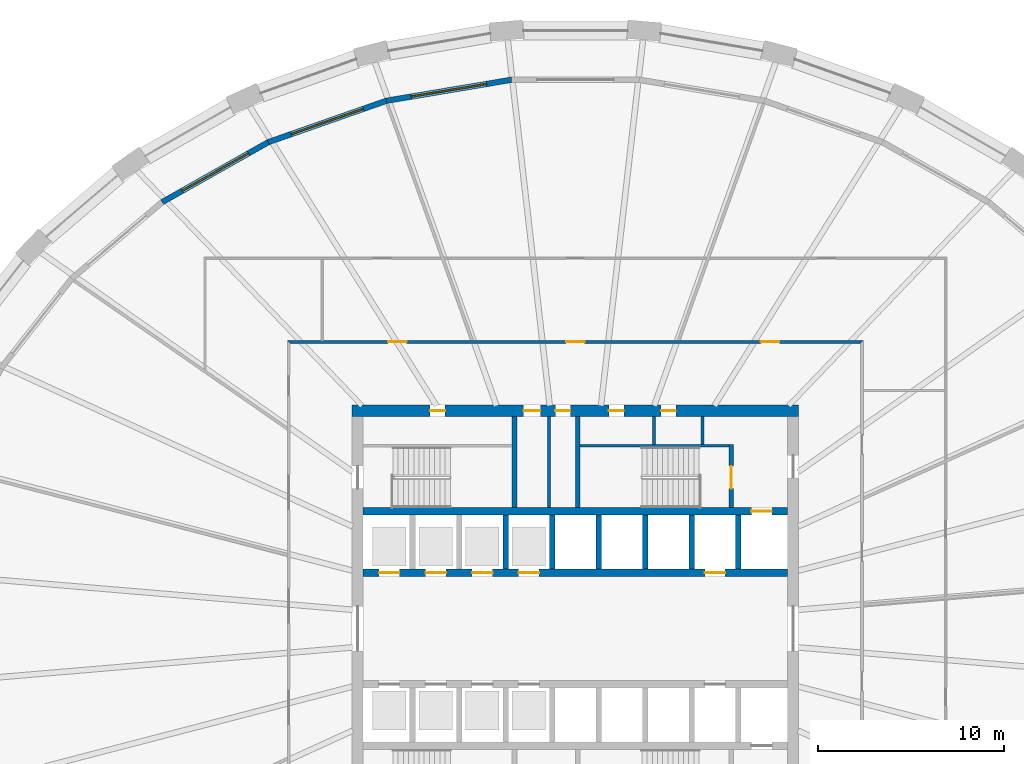
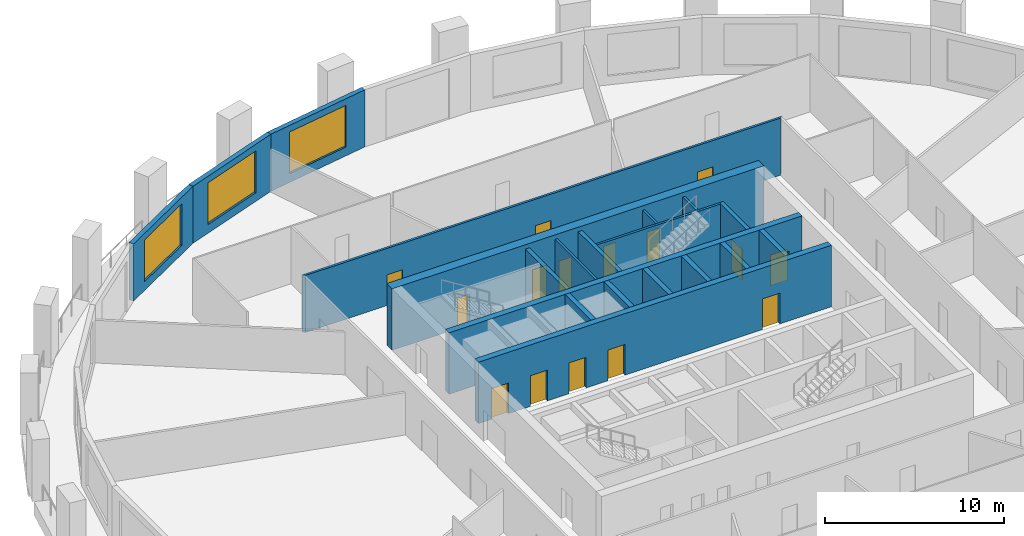
# One storey, part 6 of 11: 20 walls, 15 doors, 3 windows, 18 openings.
"""IFC4 building model written with IfcOpenShell, lengths in metres."""

from ifc_helpers import new_model, si_unit, direction, frame, frame_2d, origin, place, context, subcontext, project, spatial, polyline, rectangle, outline, extrude, material, layer, layer_set, type_object, element, fill, save


model = new_model("IFC4")

# Units and contexts
model_context = context("Model", 3, precision=1e-05, world=origin(), true_north=direction((0.0, 1.0)))
body_context = subcontext(model_context, "Body", "Model", "MODEL_VIEW")
ifc_project = project(units=[si_unit("LENGTHUNIT", "METRE"), si_unit("AREAUNIT", "SQUARE_METRE"), si_unit("VOLUMEUNIT", "CUBIC_METRE"), si_unit("PLANEANGLEUNIT", "RADIAN"), si_unit("MASSUNIT", "GRAM", prefix="KILO")], contexts=[model_context])

# Site, building, storey
site_placement = place(None, origin())
site = spatial("IfcSite", under=ifc_project, at=site_placement, CompositionType="ELEMENT")
building_placement = place(site_placement, origin())
building = spatial("IfcBuilding", under=site, at=building_placement, Name="Halqa Exchange Tower", CompositionType="ELEMENT")
storey_placement = place(building_placement, frame((0.0, 0.0, 36.10009765625)))
storey = spatial("IfcBuildingStorey", under=building, at=storey_placement, Name="L07", CompositionType="ELEMENT", Elevation=36.10009765625)

# Wall, openings, doors
ifc_material_1 = material(Name="Fire-rated gypsum board")
ifc_layer_1 = layer(ifc_material_1, 0.14990234375)
ifc_layer_set_1 = layer_set([ifc_layer_1], Name="Fire-rated gypsum board")
wall_type_1 = type_object("IfcWallType", Name="Fire partition EI 60 150", PredefinedType="PARTITIONING", material=ifc_layer_set_1)
wall_1_placement = place(storey_placement, frame((-15.47509765625, 15.39990234375, 0.0), z_axis=(0.0, 0.0, 1.0), x_axis=(1.0, 0.0, 0.0)))
wall_1 = element("IfcWall", 1, at=wall_1_placement, inside=storey, type_object=wall_type_1, Name="L07-PWL-012", PredefinedType="PARTITIONING", context=body_context, shape_type="SweptSolid", body=[
    extrude(outline(polyline([(0.150146484375, -0.074951171875), (2.065673828125, -0.074951171875), (3.9814453125, -0.074951171875), (5.89697265625, -0.074951171875), (7.8125, -0.074951171875), (9.728271484375, -0.074951171875), (11.643798828125, -0.074951171875), (13.5595703125, -0.074951171875), (15.47509765625, -0.074951171875), (17.390625, -0.074951171875), (19.306396484375, -0.074951171875), (21.221923828125, -0.074951171875), (23.1376953125, -0.074951171875), (25.05322265625, -0.074951171875), (26.96875, -0.074951171875), (28.884521484375, -0.074951171875), (30.800048828125, -0.074951171875), (30.949951171875, 0.074951171875), (29.015625, 0.074951171875), (27.081298828125, 0.074951171875), (25.14697265625, 0.074951171875), (23.21240234375, 0.074951171875), (21.278076171875, 0.074951171875), (19.34375, 0.074951171875), (17.409423828125, 0.074951171875), (15.47509765625, 0.074951171875), (13.540771484375, 0.074951171875), (11.6064453125, 0.074951171875), (9.672119140625, 0.074951171875), (7.73779296875, 0.074951171875), (5.80322265625, 0.074951171875), (3.868896484375, 0.074951171875), (1.9345703125, 0.074951171875), (0.000244140625, 0.074951171875), (0.150146484375, -0.074951171875)])), origin(), (0.0, 0.0, 1.0), 3.89990234375),
])
opening_1_placement = place(wall_1_placement, frame((5.4150390625, 0.0, 0.0)))
opening_1 = element("IfcOpeningElement", 2, at=opening_1_placement, cuts=wall_1, Name="Opening 02-02", PredefinedType="OPENING", context=body_context, shape_type="SweptSolid", body=[
    extrude(rectangle(XDim=1.0, YDim=2.10009765625, at=frame_2d((0.5, 1.050048828125))), frame((0.0, 0.0869140625, 0.0), z_axis=(0.0, -1.0, 0.0), x_axis=(1.0, 0.0, 0.0)), (0.0, 0.0, 1.0), 0.173828125),
])
opening_2_placement = place(wall_1_placement, frame((25.43505859375, 0.0, 0.0)))
opening_2 = element("IfcOpeningElement", 3, at=opening_2_placement, cuts=wall_1, Name="Opening 02-14", PredefinedType="OPENING", context=body_context, shape_type="SweptSolid", body=[
    extrude(rectangle(XDim=1.0, YDim=2.10009765625, at=frame_2d((0.5, 1.050048828125))), frame((0.0, 0.0869140625, 0.0), z_axis=(0.0, -1.0, 0.0), x_axis=(1.0, 0.0, 0.0)), (0.0, 0.0, 1.0), 0.173828125),
])
opening_3_placement = place(wall_1_placement, frame((14.97509765625, 0.0, 0.0)))
opening_3 = element("IfcOpeningElement", 4, at=opening_3_placement, cuts=wall_1, Name="Opening 02-16", PredefinedType="OPENING", context=body_context, shape_type="SweptSolid", body=[
    extrude(rectangle(XDim=1.0, YDim=2.10009765625, at=frame_2d((0.5, 1.050048828125))), frame((0.0, 0.0869140625, 0.0), z_axis=(0.0, -1.0, 0.0), x_axis=(1.0, 0.0, 0.0)), (0.0, 0.0, 1.0), 0.173828125),
])
ifc_material_2 = material(Name="Steel fire door leaf", Category="steel")
door_type_1 = type_object("IfcDoorType", Name="Fire door FD30S 1000 x 2100", OperationType="SINGLE_SWING_LEFT", PredefinedType="DOOR", material=ifc_material_2)
door_1_placement = place(opening_1_placement, origin())
door_1 = element("IfcDoor", 5, at=door_1_placement, inside=storey, type_object=door_type_1, Name="L07-IDR-002", OperationType="SINGLE_SWING_LEFT", OverallHeight=2.10009765625, OverallWidth=1.0, PredefinedType="DOOR", context=body_context, shape_type="SweptSolid", body=[
    extrude(rectangle(XDim=1.0, YDim=2.10009765625, at=frame_2d((0.5, 1.050048828125))), frame((0.0, 0.02490234375, 0.0), z_axis=(0.0, -1.0, 0.0), x_axis=(1.0, 0.0, 0.0)), (0.0, 0.0, 1.0), 0.050048828125),
])
fill(opening_1, door_1)
door_2_placement = place(opening_2_placement, origin())
door_2 = element("IfcDoor", 6, at=door_2_placement, inside=storey, type_object=door_type_1, Name="L07-IDR-014", OperationType="SINGLE_SWING_LEFT", OverallHeight=2.10009765625, OverallWidth=1.0, PredefinedType="DOOR", context=body_context, shape_type="SweptSolid", body=[
    extrude(rectangle(XDim=1.0, YDim=2.10009765625, at=frame_2d((0.5, 1.050048828125))), frame((0.0, 0.02490234375, 0.0), z_axis=(0.0, -1.0, 0.0), x_axis=(1.0, 0.0, 0.0)), (0.0, 0.0, 1.0), 0.050048828125),
])
fill(opening_2, door_2)
door_3_placement = place(opening_3_placement, origin())
door_3 = element("IfcDoor", 7, at=door_3_placement, inside=storey, type_object=door_type_1, Name="L07-IDR-016", OperationType="SINGLE_SWING_LEFT", OverallHeight=2.10009765625, OverallWidth=1.0, PredefinedType="DOOR", context=body_context, shape_type="SweptSolid", body=[
    extrude(rectangle(XDim=1.0, YDim=2.10009765625, at=frame_2d((0.5, 1.050048828125))), frame((0.0, 0.02490234375, 0.0), z_axis=(0.0, -1.0, 0.0), x_axis=(1.0, 0.0, 0.0)), (0.0, 0.0, 1.0), 0.050048828125),
])
fill(opening_3, door_3)

# Walls
ifc_material_3 = material(Name="Gypsum board")
ifc_layer_2 = layer(ifc_material_3, 0.14990234375)
ifc_layer_set_2 = layer_set([ifc_layer_2], Name="Gypsum board")
wall_type_2 = type_object("IfcWallType", Name="Penthouse riser wall 150 gypsum", PredefinedType="PARTITIONING", material=ifc_layer_set_2)
wall_2_placement = place(storey_placement, frame((-1.425048828125, 6.5, 0.0), z_axis=(0.0, 0.0, 1.0), x_axis=(0.0, 1.0, 0.0)))
element("IfcWall", 8, at=wall_2_placement, inside=storey, type_object=wall_type_2, Name="Partition W1.425 N", PredefinedType="PARTITIONING", context=body_context, shape_type="SweptSolid", body=[
    extrude(rectangle(XDim=4.89990234375, YDim=0.14990234375, at=frame_2d((2.449951171875, 0.0))), origin(), (0.0, 0.0, 1.0), 3.89990234375),
])
for number, where, z_axis, x_axis, name in (
    (9, (4.22509765625, 9.89990234375, 0.0), (0.0, 0.0, 1.0), (0.0, 1.0, 0.0), "Partition E4.225 N"),
    (10, (6.824951171875, 9.89990234375, 0.0), (0.0, 0.0, 1.0), (0.0, 1.0, 0.0), "Firefighting lobby west wall N"),
):
    element("IfcWall", number, at=place(storey_placement, frame(where, z_axis=z_axis, x_axis=x_axis)), inside=storey, type_object=wall_type_2, Name=name, PredefinedType="PARTITIONING", context=body_context, shape_type="SweptSolid", body=[
        extrude(rectangle(XDim=1.5, YDim=0.14990234375, at=frame_2d((0.75, 0.0))), origin(), (0.0, 0.0, 1.0), 3.89990234375),
    ])
ifc_material_4 = material(Name="Concrete C60/75", Category="concrete")
ifc_layer_3 = layer(ifc_material_4, 0.300048828125)
ifc_layer_set_3 = layer_set([ifc_layer_3], Name="Concrete C60/75")
wall_type_3 = type_object("IfcWallType", Name="RC core wall 300", PredefinedType="SHEAR", material=ifc_layer_set_3)
for number, where, z_axis, x_axis, name in (
    (11, (-3.75, 3.199951171875, 0.0), (0.0, 0.0, 1.0), (0.0, 1.0, 0.0), "Shaft divider N3"),
    (12, (-1.25, 3.199951171875, 0.0), (0.0, 0.0, 1.0), (0.0, 1.0, 0.0), "Shaft divider N4"),
    (13, (1.25, 3.199951171875, 0.0), (0.0, 0.0, 1.0), (0.0, 1.0, 0.0), "Shaft divider N5"),
    (14, (3.75, 3.199951171875, 0.0), (0.0, 0.0, 1.0), (0.0, 1.0, 0.0), "Shaft divider N6"),
    (15, (6.25, 3.199951171875, 0.0), (0.0, 0.0, 1.0), (0.0, 1.0, 0.0), "Shaft divider N7"),
    (16, (8.75, 3.199951171875, 0.0), (0.0, 0.0, 1.0), (0.0, 1.0, 0.0), "Shaft divider N8"),
):
    element("IfcWall", number, at=place(storey_placement, frame(where, z_axis=z_axis, x_axis=x_axis)), inside=storey, type_object=wall_type_3, Name=name, PredefinedType="SHEAR", context=body_context, shape_type="SweptSolid", body=[
        extrude(rectangle(XDim=2.900146484375, YDim=0.300048828125, at=frame_2d((1.4501953125, 0.0))), origin(), (0.0, 0.0, 1.0), 4.199951171875),
    ])

# Wall, openings, doors
ifc_material_5 = material(Name="Concrete C80/95", Category="concrete")
ifc_layer_4 = layer(ifc_material_5, 0.39990234375)
ifc_layer_set_4 = layer_set([ifc_layer_4], Name="Concrete C80/95")
wall_type_4 = type_object("IfcWallType", Name="RC core wall 400 C80/95", PredefinedType="SHEAR", material=ifc_layer_set_4)
wall_3_placement = place(storey_placement, frame((-11.39990234375, 3.0, 0.0), z_axis=(0.0, 0.0, 1.0), x_axis=(1.0, 0.0, 0.0)))
wall_3 = element("IfcWall", 17, at=wall_3_placement, inside=storey, type_object=wall_type_4, Name="Lift row front wall N", PredefinedType="SHEAR", context=body_context, shape_type="SweptSolid", body=[
    extrude(rectangle(XDim=22.7998046875, YDim=0.39990234375, at=frame_2d((11.39990234375, 0.0))), origin(), (0.0, 0.0, 1.0), 4.199951171875),
])
opening_4_placement = place(wall_3_placement, frame((0.85009765625, 0.0, 0.0)))
opening_4 = element("IfcOpeningElement", 18, at=opening_4_placement, cuts=wall_3, Name="Opening LD-LR1-T02", PredefinedType="OPENING", context=body_context, shape_type="SweptSolid", body=[
    extrude(rectangle(XDim=1.10009765625, YDim=2.10009765625, at=frame_2d((0.550048828125, 1.050048828125))), frame((0.0, 0.2119140625, 0.0), z_axis=(0.0, -1.0, 0.0), x_axis=(1.0, 0.0, 0.0)), (0.0, 0.0, 1.0), 0.423828125),
])
opening_5_placement = place(wall_3_placement, frame((3.35009765625, 0.0, 0.0)))
opening_5 = element("IfcOpeningElement", 19, at=opening_5_placement, cuts=wall_3, Name="Opening LD-LR2-T02", PredefinedType="OPENING", context=body_context, shape_type="SweptSolid", body=[
    extrude(rectangle(XDim=1.10009765625, YDim=2.10009765625, at=frame_2d((0.550048828125, 1.050048828125))), frame((0.0, 0.2119140625, 0.0), z_axis=(0.0, -1.0, 0.0), x_axis=(1.0, 0.0, 0.0)), (0.0, 0.0, 1.0), 0.423828125),
])
opening_6_placement = place(wall_3_placement, frame((5.85009765625, 0.0, 0.0)))
opening_6 = element("IfcOpeningElement", 20, at=opening_6_placement, cuts=wall_3, Name="Opening LD-LR3-T02", PredefinedType="OPENING", context=body_context, shape_type="SweptSolid", body=[
    extrude(rectangle(XDim=1.10009765625, YDim=2.10009765625, at=frame_2d((0.550048828125, 1.050048828125))), frame((0.0, 0.2119140625, 0.0), z_axis=(0.0, -1.0, 0.0), x_axis=(1.0, 0.0, 0.0)), (0.0, 0.0, 1.0), 0.423828125),
])
opening_7_placement = place(wall_3_placement, frame((8.35009765625, 0.0, 0.0)))
opening_7 = element("IfcOpeningElement", 21, at=opening_7_placement, cuts=wall_3, Name="Opening LD-LR4-T02", PredefinedType="OPENING", context=body_context, shape_type="SweptSolid", body=[
    extrude(rectangle(XDim=1.10009765625, YDim=2.10009765625, at=frame_2d((0.550048828125, 1.050048828125))), frame((0.0, 0.2119140625, 0.0), z_axis=(0.0, -1.0, 0.0), x_axis=(1.0, 0.0, 0.0)), (0.0, 0.0, 1.0), 0.423828125),
])
opening_8_placement = place(wall_3_placement, frame((18.35009765625, 0.0, 0.0)))
opening_8 = element("IfcOpeningElement", 22, at=opening_8_placement, cuts=wall_3, Name="Opening LD-SV1-T02", PredefinedType="OPENING", context=body_context, shape_type="SweptSolid", body=[
    extrude(rectangle(XDim=1.10009765625, YDim=2.10009765625, at=frame_2d((0.550048828125, 1.050048828125))), frame((0.0, 0.2119140625, 0.0), z_axis=(0.0, -1.0, 0.0), x_axis=(1.0, 0.0, 0.0)), (0.0, 0.0, 1.0), 0.423828125),
])
ifc_material_6 = material(Name="Stainless steel", Category="steel")
door_type_2 = type_object("IfcDoorType", Name="Lift landing door 1100 x 2100", OperationType="SLIDING_TO_LEFT", PredefinedType="DOOR", material=ifc_material_6)
door_4_placement = place(opening_4_placement, origin())
door_4 = element("IfcDoor", 23, at=door_4_placement, inside=storey, type_object=door_type_2, Name="Lift landing door LR1", OperationType="SLIDING_TO_LEFT", OverallHeight=2.10009765625, OverallWidth=1.10009765625, PredefinedType="DOOR", context=body_context, shape_type="SweptSolid", body=[
    extrude(rectangle(XDim=1.10009765625, YDim=2.10009765625, at=frame_2d((0.550048828125, 1.050048828125))), frame((0.0, 0.02490234375, 0.0), z_axis=(0.0, -1.0, 0.0), x_axis=(1.0, 0.0, 0.0)), (0.0, 0.0, 1.0), 0.050048828125),
])
fill(opening_4, door_4)
door_5_placement = place(opening_5_placement, origin())
door_5 = element("IfcDoor", 24, at=door_5_placement, inside=storey, type_object=door_type_2, Name="Lift landing door LR2", OperationType="SLIDING_TO_LEFT", OverallHeight=2.10009765625, OverallWidth=1.10009765625, PredefinedType="DOOR", context=body_context, shape_type="SweptSolid", body=[
    extrude(rectangle(XDim=1.10009765625, YDim=2.10009765625, at=frame_2d((0.550048828125, 1.050048828125))), frame((0.0, 0.02490234375, 0.0), z_axis=(0.0, -1.0, 0.0), x_axis=(1.0, 0.0, 0.0)), (0.0, 0.0, 1.0), 0.050048828125),
])
fill(opening_5, door_5)
door_6_placement = place(opening_6_placement, origin())
door_6 = element("IfcDoor", 25, at=door_6_placement, inside=storey, type_object=door_type_2, Name="Lift landing door LR3", OperationType="SLIDING_TO_LEFT", OverallHeight=2.10009765625, OverallWidth=1.10009765625, PredefinedType="DOOR", context=body_context, shape_type="SweptSolid", body=[
    extrude(rectangle(XDim=1.10009765625, YDim=2.10009765625, at=frame_2d((0.550048828125, 1.050048828125))), frame((0.0, 0.02490234375, 0.0), z_axis=(0.0, -1.0, 0.0), x_axis=(1.0, 0.0, 0.0)), (0.0, 0.0, 1.0), 0.050048828125),
])
fill(opening_6, door_6)
door_7_placement = place(opening_7_placement, origin())
door_7 = element("IfcDoor", 26, at=door_7_placement, inside=storey, type_object=door_type_2, Name="Lift landing door LR4", OperationType="SLIDING_TO_LEFT", OverallHeight=2.10009765625, OverallWidth=1.10009765625, PredefinedType="DOOR", context=body_context, shape_type="SweptSolid", body=[
    extrude(rectangle(XDim=1.10009765625, YDim=2.10009765625, at=frame_2d((0.550048828125, 1.050048828125))), frame((0.0, 0.02490234375, 0.0), z_axis=(0.0, -1.0, 0.0), x_axis=(1.0, 0.0, 0.0)), (0.0, 0.0, 1.0), 0.050048828125),
])
fill(opening_7, door_7)
door_8_placement = place(opening_8_placement, origin())
door_8 = element("IfcDoor", 27, at=door_8_placement, inside=storey, type_object=door_type_2, Name="Lift landing door SV1", OperationType="SLIDING_TO_LEFT", OverallHeight=2.10009765625, OverallWidth=1.10009765625, PredefinedType="DOOR", context=body_context, shape_type="SweptSolid", body=[
    extrude(rectangle(XDim=1.10009765625, YDim=2.10009765625, at=frame_2d((0.550048828125, 1.050048828125))), frame((0.0, 0.02490234375, 0.0), z_axis=(0.0, -1.0, 0.0), x_axis=(1.0, 0.0, 0.0)), (0.0, 0.0, 1.0), 0.050048828125),
])
fill(opening_8, door_8)

# Wall, opening, door
wall_4_placement = place(storey_placement, frame((-11.39990234375, 6.300048828125, 0.0), z_axis=(0.0, 0.0, 1.0), x_axis=(1.0, 0.0, 0.0)))
wall_4 = element("IfcWall", 28, at=wall_4_placement, inside=storey, type_object=wall_type_4, Name="Lift row back wall N", PredefinedType="SHEAR", context=body_context, shape_type="SweptSolid", body=[
    extrude(rectangle(XDim=22.7998046875, YDim=0.39990234375, at=frame_2d((11.39990234375, 0.0))), origin(), (0.0, 0.0, 1.0), 4.199951171875),
])
opening_9_placement = place(wall_4_placement, frame((20.85009765625, 0.0, 0.0)))
opening_9 = element("IfcOpeningElement", 29, at=opening_9_placement, cuts=wall_4, Name="Opening LD-FF1-T02", PredefinedType="OPENING", context=body_context, shape_type="SweptSolid", body=[
    extrude(rectangle(XDim=1.10009765625, YDim=2.10009765625, at=frame_2d((0.550048828125, 1.050048828125))), frame((0.0, 0.2119140625, 0.0), z_axis=(0.0, -1.0, 0.0), x_axis=(1.0, 0.0, 0.0)), (0.0, 0.0, 1.0), 0.423828125),
])
door_9_placement = place(opening_9_placement, origin())
door_9 = element("IfcDoor", 30, at=door_9_placement, inside=storey, type_object=door_type_2, Name="Lift landing door FF1", OperationType="SLIDING_TO_LEFT", OverallHeight=2.10009765625, OverallWidth=1.10009765625, PredefinedType="DOOR", context=body_context, shape_type="SweptSolid", body=[
    extrude(rectangle(XDim=1.10009765625, YDim=2.10009765625, at=frame_2d((0.550048828125, 1.050048828125))), frame((0.0, 0.02490234375, 0.0), z_axis=(0.0, -1.0, 0.0), x_axis=(1.0, 0.0, 0.0)), (0.0, 0.0, 1.0), 0.050048828125),
])
fill(opening_9, door_9)

# Wall, openings, doors
ifc_layer_5 = layer(ifc_material_5, 0.60009765625)
ifc_layer_set_5 = layer_set([ifc_layer_5], Name="Concrete C80/95")
wall_type_5 = type_object("IfcWallType", Name="RC core wall 600 C80/95", PredefinedType="SHEAR", material=ifc_layer_set_5)
wall_5_placement = place(storey_placement, frame((-12.0, 11.699951171875, 0.0), z_axis=(0.0, 0.0, 1.0), x_axis=(1.0, 0.0, 0.0)))
wall_5 = element("IfcWall", 31, at=wall_5_placement, inside=storey, type_object=wall_type_5, Name="Core wall north", PredefinedType="SHEAR", context=body_context, shape_type="SweptSolid", body=[
    extrude(rectangle(XDim=24.0, YDim=0.60009765625, at=frame_2d((12.0, 0.0))), origin(), (0.0, 0.0, 1.0), 4.199951171875),
])
opening_10_placement = place(wall_5_placement, frame((9.22509765625, 0.0, 0.0)))
opening_10 = element("IfcOpeningElement", 32, at=opening_10_placement, cuts=wall_5, Name="Opening T02-C21", PredefinedType="OPENING", context=body_context, shape_type="SweptSolid", body=[
    extrude(rectangle(XDim=0.89990234375, YDim=2.10009765625, at=frame_2d((0.449951171875, 1.050048828125))), frame((0.0, 0.31201171875, 0.0), z_axis=(0.0, -1.0, 0.0), x_axis=(1.0, 0.0, 0.0)), (0.0, 0.0, 1.0), 0.6240234375),
])
opening_11_placement = place(wall_5_placement, frame((10.925048828125, 0.0, 0.0)))
opening_11 = element("IfcOpeningElement", 33, at=opening_11_placement, cuts=wall_5, Name="Opening T02-C22", PredefinedType="OPENING", context=body_context, shape_type="SweptSolid", body=[
    extrude(rectangle(XDim=0.800048828125, YDim=2.10009765625, at=frame_2d((0.39990234375, 1.050048828125))), frame((0.0, 0.31201171875, 0.0), z_axis=(0.0, -1.0, 0.0), x_axis=(1.0, 0.0, 0.0)), (0.0, 0.0, 1.0), 0.6240234375),
])
opening_12_placement = place(wall_5_placement, frame((4.199951171875, 0.0, 0.0)))
opening_12 = element("IfcOpeningElement", 34, at=opening_12_placement, cuts=wall_5, Name="Opening T02-C23", PredefinedType="OPENING", context=body_context, shape_type="SweptSolid", body=[
    extrude(rectangle(XDim=0.800048828125, YDim=2.10009765625, at=frame_2d((0.39990234375, 1.050048828125))), frame((0.0, 0.31201171875, 0.0), z_axis=(0.0, -1.0, 0.0), x_axis=(1.0, 0.0, 0.0)), (0.0, 0.0, 1.0), 0.6240234375),
])
opening_13_placement = place(wall_5_placement, frame((13.800048828125, 0.0, 0.0)))
opening_13 = element("IfcOpeningElement", 35, at=opening_13_placement, cuts=wall_5, Name="Opening T02-C24", PredefinedType="OPENING", context=body_context, shape_type="SweptSolid", body=[
    extrude(rectangle(XDim=0.800048828125, YDim=2.10009765625, at=frame_2d((0.39990234375, 1.050048828125))), frame((0.0, 0.31201171875, 0.0), z_axis=(0.0, -1.0, 0.0), x_axis=(1.0, 0.0, 0.0)), (0.0, 0.0, 1.0), 0.6240234375),
])
opening_14_placement = place(wall_5_placement, frame((16.60009765625, 0.0, 0.0)))
opening_14 = element("IfcOpeningElement", 36, at=opening_14_placement, cuts=wall_5, Name="Opening T02-C25", PredefinedType="OPENING", context=body_context, shape_type="SweptSolid", body=[
    extrude(rectangle(XDim=0.800048828125, YDim=2.10009765625, at=frame_2d((0.39990234375, 1.050048828125))), frame((0.0, 0.31201171875, 0.0), z_axis=(0.0, -1.0, 0.0), x_axis=(1.0, 0.0, 0.0)), (0.0, 0.0, 1.0), 0.6240234375),
])
ifc_material_7 = material(Name="Timber fire door leaf", Category="wood")
door_type_3 = type_object("IfcDoorType", Name="Core room door FD30 900 x 2100", OperationType="SINGLE_SWING_LEFT", PredefinedType="DOOR", material=ifc_material_7)
door_10_placement = place(opening_10_placement, frame((0.89990234375, 0.0, 0.0), z_axis=(0.0, 0.0, 1.0), x_axis=(-1.0, 0.0, 0.0)))
door_10 = element("IfcDoor", 37, at=door_10_placement, inside=storey, type_object=door_type_3, Name="Core room door", OperationType="SINGLE_SWING_LEFT", OverallHeight=2.10009765625, OverallWidth=0.89990234375, PredefinedType="DOOR", context=body_context, shape_type="SweptSolid", body=[
    extrude(rectangle(XDim=0.89990234375, YDim=2.10009765625, at=frame_2d((0.449951171875, 1.050048828125))), frame((0.0, 0.02490234375, 0.0), z_axis=(0.0, -1.0, 0.0), x_axis=(1.0, 0.0, 0.0)), (0.0, 0.0, 1.0), 0.050048828125),
])
fill(opening_10, door_10)
door_type_4 = type_object("IfcDoorType", Name="Riser door FD60 800 x 2100", OperationType="SINGLE_SWING_LEFT", PredefinedType="DOOR", material=ifc_material_2)
door_11_placement = place(opening_11_placement, frame((0.800048828125, 0.0, 0.0), z_axis=(0.0, 0.0, 1.0), x_axis=(-1.0, 0.0, 0.0)))
door_11 = element("IfcDoor", 38, at=door_11_placement, inside=storey, type_object=door_type_4, Name="Core room door", OperationType="SINGLE_SWING_LEFT", OverallHeight=2.10009765625, OverallWidth=0.800048828125, PredefinedType="DOOR", context=body_context, shape_type="SweptSolid", body=[
    extrude(rectangle(XDim=0.800048828125, YDim=2.10009765625, at=frame_2d((0.39990234375, 1.050048828125))), frame((0.0, 0.02490234375, 0.0), z_axis=(0.0, -1.0, 0.0), x_axis=(1.0, 0.0, 0.0)), (0.0, 0.0, 1.0), 0.050048828125),
])
fill(opening_11, door_11)
door_12_placement = place(opening_12_placement, frame((0.800048828125, 0.0, 0.0), z_axis=(0.0, 0.0, 1.0), x_axis=(-1.0, 0.0, 0.0)))
door_12 = element("IfcDoor", 39, at=door_12_placement, inside=storey, type_object=door_type_4, Name="Core room door", OperationType="SINGLE_SWING_LEFT", OverallHeight=2.10009765625, OverallWidth=0.800048828125, PredefinedType="DOOR", context=body_context, shape_type="SweptSolid", body=[
    extrude(rectangle(XDim=0.800048828125, YDim=2.10009765625, at=frame_2d((0.39990234375, 1.050048828125))), frame((0.0, 0.02490234375, 0.0), z_axis=(0.0, -1.0, 0.0), x_axis=(1.0, 0.0, 0.0)), (0.0, 0.0, 1.0), 0.050048828125),
])
fill(opening_12, door_12)
door_13_placement = place(opening_13_placement, frame((0.800048828125, 0.0, 0.0), z_axis=(0.0, 0.0, 1.0), x_axis=(-1.0, 0.0, 0.0)))
door_13 = element("IfcDoor", 40, at=door_13_placement, inside=storey, type_object=door_type_4, Name="Core room door", OperationType="SINGLE_SWING_RIGHT", OverallHeight=2.10009765625, OverallWidth=0.800048828125, PredefinedType="DOOR", context=body_context, shape_type="SweptSolid", body=[
    extrude(rectangle(XDim=0.800048828125, YDim=2.10009765625, at=frame_2d((0.39990234375, 1.050048828125))), frame((0.0, 0.02490234375, 0.0), z_axis=(0.0, -1.0, 0.0), x_axis=(1.0, 0.0, 0.0)), (0.0, 0.0, 1.0), 0.050048828125),
])
fill(opening_13, door_13)
door_14_placement = place(opening_14_placement, frame((0.800048828125, 0.0, 0.0), z_axis=(0.0, 0.0, 1.0), x_axis=(-1.0, 0.0, 0.0)))
door_14 = element("IfcDoor", 41, at=door_14_placement, inside=storey, type_object=door_type_4, Name="Core room door", OperationType="SINGLE_SWING_LEFT", OverallHeight=2.10009765625, OverallWidth=0.800048828125, PredefinedType="DOOR", context=body_context, shape_type="SweptSolid", body=[
    extrude(rectangle(XDim=0.800048828125, YDim=2.10009765625, at=frame_2d((0.39990234375, 1.050048828125))), frame((0.0, 0.02490234375, 0.0), z_axis=(0.0, -1.0, 0.0), x_axis=(1.0, 0.0, 0.0)), (0.0, 0.0, 1.0), 0.050048828125),
])
fill(opening_14, door_14)

# Walls
ifc_material_8 = material(Name="Concrete C30/37", Category="concrete")
ifc_layer_6 = layer(ifc_material_8, 0.14990234375)
ifc_layer_set_6 = layer_set([ifc_layer_6], Name="Concrete C30/37")
wall_type_6 = type_object("IfcWallType", Name="RC stair wall 150 C30/37", PredefinedType="SHEAR", material=ifc_layer_set_6)
wall_6_placement = place(storey_placement, frame((0.25, 9.824951171875, 0.0), z_axis=(0.0, 0.0, 1.0), x_axis=(1.0, 0.0, 0.0)))
element("IfcWall", 42, at=wall_6_placement, inside=storey, type_object=wall_type_6, Name="Stair ST2 north wall N", PredefinedType="SHEAR", context=body_context, shape_type="SweptSolid", body=[
    extrude(rectangle(XDim=8.0, YDim=0.14990234375, at=frame_2d((4.0, 0.0))), origin(), (0.0, 0.0, 1.0), 3.89990234375),
])
ifc_layer_7 = layer(ifc_material_8, 0.25)
ifc_layer_set_7 = layer_set([ifc_layer_7], Name="Concrete C30/37")
wall_type_7 = type_object("IfcWallType", Name="RC stair wall 250 C30/37", PredefinedType="SHEAR", material=ifc_layer_set_7)
for number, where, z_axis, x_axis, name in (
    (43, (-3.27490234375, 6.5, 0.0), (0.0, 0.0, 1.0), (0.0, 1.0, 0.0), "Stair ST1 east wall N"),
    (44, (0.125, 6.5, 0.0), (0.0, 0.0, 1.0), (0.0, 1.0, 0.0), "Stair ST2 west wall N"),
):
    element("IfcWall", number, at=place(storey_placement, frame(where, z_axis=z_axis, x_axis=x_axis)), inside=storey, type_object=wall_type_7, Name=name, PredefinedType="SHEAR", context=body_context, shape_type="SweptSolid", body=[
        extrude(rectangle(XDim=4.89990234375, YDim=0.25, at=frame_2d((2.449951171875, 0.0))), origin(), (0.0, 0.0, 1.0), 3.89990234375),
    ])

# Wall, opening, door
wall_7_placement = place(storey_placement, frame((8.375, 6.5, 0.0), z_axis=(0.0, 0.0, 1.0), x_axis=(0.0, 1.0, 0.0)))
wall_7 = element("IfcWall", 45, at=wall_7_placement, inside=storey, type_object=wall_type_7, Name="Stair ST2 east wall N", PredefinedType="SHEAR", context=body_context, shape_type="SweptSolid", body=[
    extrude(rectangle(XDim=3.39990234375, YDim=0.25, at=frame_2d((1.699951171875, 0.0))), origin(), (0.0, 0.0, 1.0), 3.89990234375),
])
opening_15_placement = place(wall_7_placement, frame((1.02490234375, 0.0, 0.0)))
opening_15 = element("IfcOpeningElement", 46, at=opening_15_placement, cuts=wall_7, Name="Opening T02-C16", PredefinedType="OPENING", context=body_context, shape_type="SweptSolid", body=[
    extrude(rectangle(XDim=1.199951171875, YDim=2.10009765625, at=frame_2d((0.60009765625, 1.050048828125))), frame((0.0, 0.136962890625, 0.0), z_axis=(0.0, -1.0, 0.0), x_axis=(1.0, 0.0, 0.0)), (0.0, 0.0, 1.0), 0.27392578125),
])
door_type_5 = type_object("IfcDoorType", Name="Stair door FD90 1200 x 2100", OperationType="SINGLE_SWING_LEFT", PredefinedType="DOOR", material=ifc_material_2)
door_15_placement = place(opening_15_placement, origin())
door_15 = element("IfcDoor", 47, at=door_15_placement, inside=storey, type_object=door_type_5, Name="Stair door ST2", OperationType="SINGLE_SWING_RIGHT", OverallHeight=2.10009765625, OverallWidth=1.199951171875, PredefinedType="DOOR", context=body_context, shape_type="SweptSolid", body=[
    extrude(rectangle(XDim=1.199951171875, YDim=2.10009765625, at=frame_2d((0.60009765625, 1.050048828125))), frame((0.0, 0.02490234375, 0.0), z_axis=(0.0, -1.0, 0.0), x_axis=(1.0, 0.0, 0.0)), (0.0, 0.0, 1.0), 0.050048828125),
])
fill(opening_15, door_15)

# Wall, opening, window
ifc_material_9 = material(Name="Limestone cladding", Category="masonry")
ifc_layer_8 = layer(ifc_material_9, 0.0400390625)
ifc_material_10 = material(Name="Ventilated cavity")
ifc_layer_9 = layer(ifc_material_10, 0.030029296875, ventilated=True)
ifc_material_11 = material(Name="Mineral wool insulation")
ifc_layer_10 = layer(ifc_material_11, 0.10009765625)
ifc_layer_11 = layer(ifc_material_8, 0.10009765625)
ifc_material_12 = material(Name="Internal plaster")
ifc_layer_12 = layer(ifc_material_12, 0.030029296875)
ifc_layer_set_8 = layer_set([ifc_layer_8, ifc_layer_9, ifc_layer_10, ifc_layer_11, ifc_layer_12], Name="Stone-faced insulated wall 300")
wall_type_8 = type_object("IfcWallType", Name="Stone-faced insulated wall 300", PredefinedType="STANDARD", material=ifc_layer_set_8)
wall_8_placement = place(storey_placement, frame((-3.42919921875, 29.486328125, 0.0), z_axis=(0.0, 0.0, 1.0), x_axis=(-0.986145179906, -0.165884550659, 0.0)))
wall_8 = element("IfcWall", 48, at=wall_8_placement, inside=storey, type_object=wall_type_8, Name="Glass-line wall 9", PredefinedType="STANDARD", context=body_context, shape_type="SweptSolid", body=[
    extrude(outline(polyline([(-0.012451171875, -0.14990234375), (6.834228515625, -0.14990234375), (6.808837890625, 0.14990234375), (0.012451171875, 0.14990234375), (-0.012451171875, -0.14990234375)])), origin(), (0.0, 0.0, 1.0), 3.89990234375),
])
opening_16_placement = place(wall_8_placement, frame((1.36083984375, 0.0, 0.60009765625)))
opening_16 = element("IfcOpeningElement", 49, at=opening_16_placement, cuts=wall_8, Name="Opening W-F1-09", PredefinedType="OPENING", context=body_context, shape_type="SweptSolid", body=[
    extrude(rectangle(XDim=4.10009765625, YDim=2.85009765625, at=frame_2d((2.050048828125, 1.425048828125))), frame((0.0, 0.162109375, 0.0), z_axis=(0.0, -1.0, 0.0), x_axis=(1.0, 0.0, 0.0)), (0.0, 0.0, 1.0), 0.323974609375),
])
ifc_material_13 = material(Name="Clear low-emissivity glass in aluminium frame", Category="aluminium")
window_type = type_object("IfcWindowType", Name="Fixed clear glazed window 4100 x 2850", PartitioningType="TRIPLE_PANEL_VERTICAL", PredefinedType="WINDOW", material=ifc_material_13)
window_1_placement = place(opening_16_placement, origin())
window_1 = element("IfcWindow", 50, at=window_1_placement, inside=storey, type_object=window_type, Name="Window 1", OverallHeight=2.85009765625, OverallWidth=4.10009765625, PartitioningType="TRIPLE_PANEL_VERTICAL", PredefinedType="WINDOW", context=body_context, shape_type="SweptSolid", body=[
    extrude(rectangle(XDim=4.10009765625, YDim=2.85009765625, at=frame_2d((2.050048828125, 1.425048828125))), frame((0.0, 0.030029296875, 0.0), z_axis=(0.0, -1.0, 0.0), x_axis=(1.0, 0.0, 0.0)), (0.0, 0.0, 1.0), 0.06005859375),
])
fill(opening_16, window_1)

wall_9_placement = place(storey_placement, frame((-10.15625, 28.354736328125, 0.0), z_axis=(0.0, 0.0, 1.0), x_axis=(-0.943778979427, -0.330577128657, 0.0)))
wall_9 = element("IfcWall", 51, at=wall_9_placement, inside=storey, type_object=wall_type_8, Name="Glass-line wall 10", PredefinedType="STANDARD", context=body_context, shape_type="SweptSolid", body=[
    extrude(outline(polyline([(-0.0126953125, -0.14990234375), (6.728759765625, -0.14990234375), (6.701904296875, 0.14990234375), (0.0126953125, 0.14990234375), (-0.0126953125, -0.14990234375)])), origin(), (0.0, 0.0, 1.0), 3.89990234375),
])
opening_17_placement = place(wall_9_placement, frame((1.3076171875, 0.0, 0.60009765625)))
opening_17 = element("IfcOpeningElement", 52, at=opening_17_placement, cuts=wall_9, Name="Opening W-F1-10", PredefinedType="OPENING", context=body_context, shape_type="SweptSolid", body=[
    extrude(rectangle(XDim=4.10009765625, YDim=2.85009765625, at=frame_2d((2.050048828125, 1.425048828125))), frame((0.0, 0.162109375, 0.0), z_axis=(0.0, -1.0, 0.0), x_axis=(1.0, 0.0, 0.0)), (0.0, 0.0, 1.0), 0.323974609375),
])
window_2_placement = place(opening_17_placement, origin())
window_2 = element("IfcWindow", 53, at=window_2_placement, inside=storey, type_object=window_type, Name="Window 1", OverallHeight=2.85009765625, OverallWidth=4.10009765625, PartitioningType="TRIPLE_PANEL_VERTICAL", PredefinedType="WINDOW", context=body_context, shape_type="SweptSolid", body=[
    extrude(rectangle(XDim=4.10009765625, YDim=2.85009765625, at=frame_2d((2.050048828125, 1.425048828125))), frame((0.0, 0.030029296875, 0.0), z_axis=(0.0, -1.0, 0.0), x_axis=(1.0, 0.0, 0.0)), (0.0, 0.0, 1.0), 0.06005859375),
])
fill(opening_17, window_2)

wall_10_placement = place(storey_placement, frame((-16.494140625, 26.134765625, 0.0), z_axis=(0.0, 0.0, 1.0), x_axis=(-0.87061279013, -0.491968870623, 0.0)))
wall_10 = element("IfcWall", 54, at=wall_10_placement, inside=storey, type_object=wall_type_8, Name="Glass-line wall 11", PredefinedType="STANDARD", context=body_context, shape_type="SweptSolid", body=[
    extrude(outline(polyline([(-0.013427734375, -0.14990234375), (6.567626953125, -0.14990234375), (6.539306640625, 0.14990234375), (0.013427734375, 0.14990234375), (-0.013427734375, -0.14990234375)])), origin(), (0.0, 0.0, 1.0), 3.89990234375),
])
opening_18_placement = place(wall_10_placement, frame((1.226806640625, 0.0, 0.60009765625)))
opening_18 = element("IfcOpeningElement", 55, at=opening_18_placement, cuts=wall_10, Name="Opening W-F1-11", PredefinedType="OPENING", context=body_context, shape_type="SweptSolid", body=[
    extrude(rectangle(XDim=4.10009765625, YDim=2.85009765625, at=frame_2d((2.050048828125, 1.425048828125))), frame((0.0, 0.162109375, 0.0), z_axis=(0.0, -1.0, 0.0), x_axis=(1.0, 0.0, 0.0)), (0.0, 0.0, 1.0), 0.323974609375),
])
window_3_placement = place(opening_18_placement, origin())
window_3 = element("IfcWindow", 56, at=window_3_placement, inside=storey, type_object=window_type, Name="Window 1", OverallHeight=2.85009765625, OverallWidth=4.10009765625, PartitioningType="TRIPLE_PANEL_VERTICAL", PredefinedType="WINDOW", context=body_context, shape_type="SweptSolid", body=[
    extrude(rectangle(XDim=4.10009765625, YDim=2.85009765625, at=frame_2d((2.050048828125, 1.425048828125))), frame((0.0, 0.030029296875, 0.0), z_axis=(0.0, -1.0, 0.0), x_axis=(1.0, 0.0, 0.0)), (0.0, 0.0, 1.0), 0.06005859375),
])
fill(opening_18, window_3)

save(model, "model.ifc")
